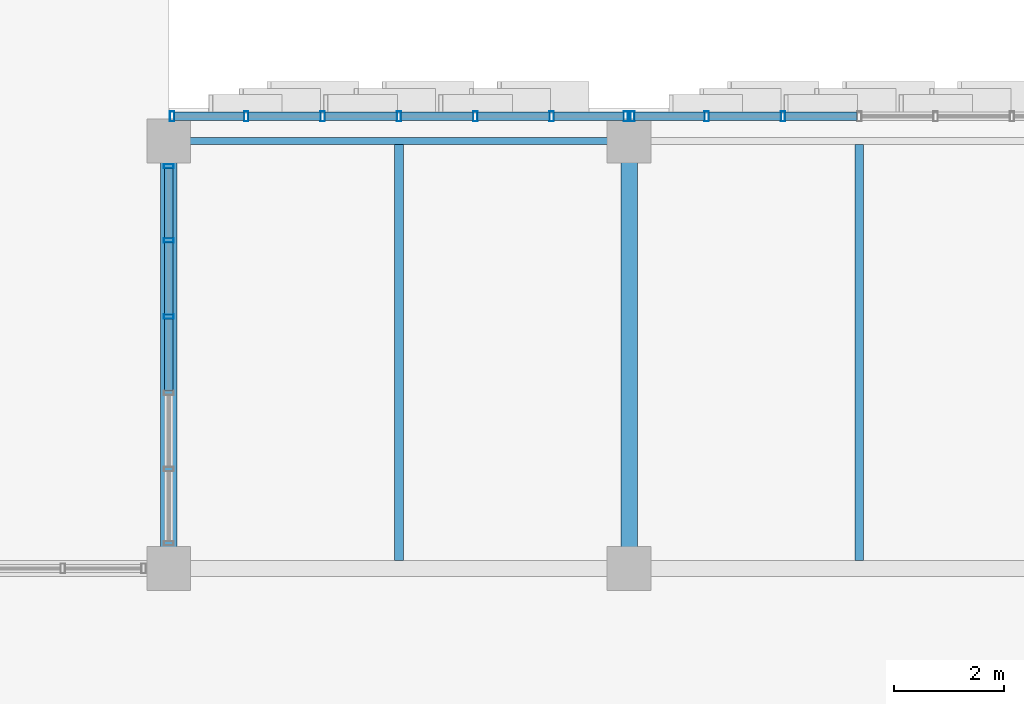
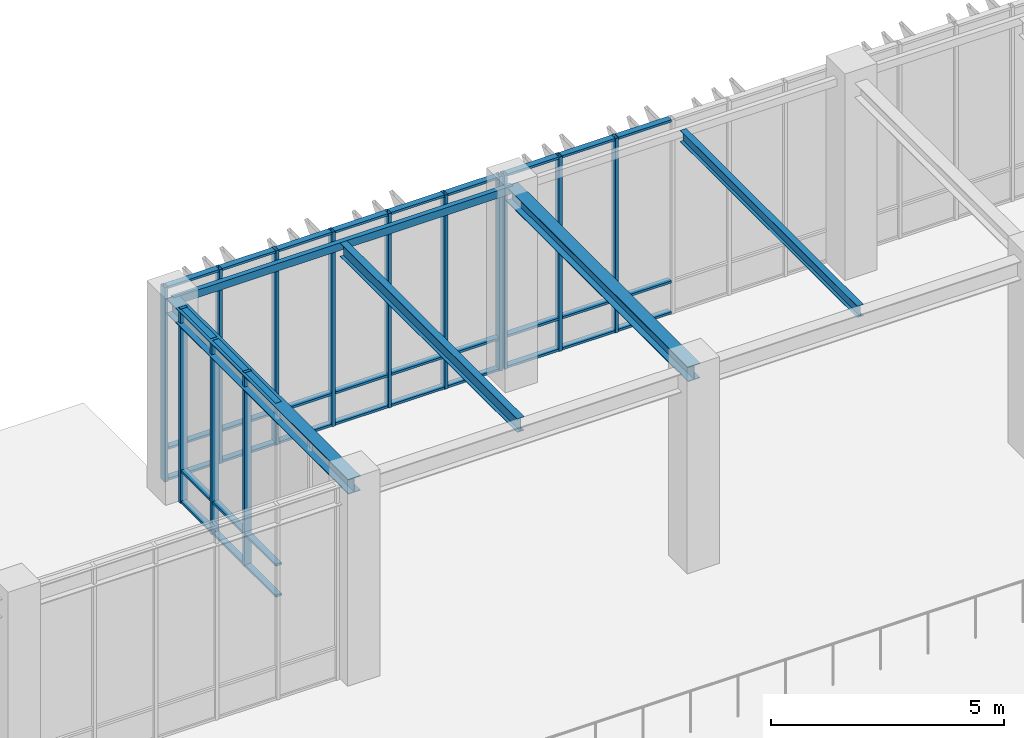
# One storey, part 53 of 139: 49 members, 5 beams, 3 elements without a shape of their own.
"""IFC4 building model written with IfcOpenShell, lengths in metres."""

from ifc_helpers import new_model, si_unit, direction, frame, origin, origin_2d, place, context, subcontext, project, spatial, hollow_rectangle, i_section, extrude, material, layer, layer_set, material_profile, profile_set, type_object, element, aggregate, save


model = new_model("IFC4")

# Units and contexts
model_context = context("Model", 3, precision=1e-05, world=origin(), true_north=direction((0.0, 1.0)))
body_context = subcontext(model_context, "Body", "Model", "MODEL_VIEW")
ifc_project = project(units=[si_unit("LENGTHUNIT", "METRE"), si_unit("AREAUNIT", "SQUARE_METRE"), si_unit("VOLUMEUNIT", "CUBIC_METRE"), si_unit("PLANEANGLEUNIT", "RADIAN"), si_unit("MASSUNIT", "GRAM", prefix="KILO")], contexts=[model_context])

# Site, building, storey
site_placement = place(None, origin())
site = spatial("IfcSite", under=ifc_project, at=site_placement, CompositionType="ELEMENT")
building_placement = place(site_placement, origin())
building = spatial("IfcBuilding", under=site, at=building_placement, Name="Zayran Congress Hotel", CompositionType="ELEMENT")
storey_placement = place(building_placement, frame((0.0, 0.0, 5.39990234375)))
storey = spatial("IfcBuildingStorey", under=building, at=storey_placement, Name="L01", CompositionType="ELEMENT", Elevation=5.39990234375)

# Beams
ifc_material_1 = material(Name="Steel S355", Category="steel")
ifc_material_profile_1 = material_profile(ifc_material_1, i_section(OverallWidth=0.300048828125, OverallDepth=0.389892578125, WebThickness=0.010986328125, FlangeThickness=0.01904296875, at=origin_2d()), Name="HEA 400")
ifc_profile_set_1 = profile_set([ifc_material_profile_1], Name="Steel S355")
beam_type_1 = type_object("IfcBeamType", Name="TP-BM-06", PredefinedType="BEAM", material=ifc_profile_set_1)
for number, where, z_axis, x_axis, name in (
    (1, (58.800048828125, 109.60009765625, 4.885009765625), (0.0, 1.0, 0.0), (-1.0, 0.0, 0.0), "BM-V1-L01-0598"),
    (2, (67.199951171875, 109.60009765625, 4.885009765625), (0.0, 1.0, 0.0), (-1.0, 0.0, 0.0), "BM-V1-L01-0601"),
):
    element("IfcBeam", number, at=place(storey_placement, frame(where, z_axis=z_axis, x_axis=x_axis)), inside=storey, type_object=beam_type_1, Name=name, PredefinedType="BEAM", context=body_context, shape_type="SweptSolid", body=[
        extrude(i_section(OverallWidth=0.300048828125, OverallDepth=0.389892578125, WebThickness=0.010986328125, FlangeThickness=0.01904296875, at=origin_2d()), origin(), (0.0, 0.0, 1.0), 7.7998046875),
    ])
ifc_material_profile_2 = material_profile(ifc_material_1, i_section(OverallWidth=0.169921875, OverallDepth=0.360107421875, WebThickness=0.008056640625, FlangeThickness=0.0126953125, at=origin_2d()), Name="IPE 360")
ifc_profile_set_2 = profile_set([ifc_material_profile_2], Name="Steel S355")
beam_type_2 = type_object("IfcBeamType", Name="TP-JS-04", PredefinedType="JOIST", material=ifc_profile_set_2)
beam_1_placement = place(storey_placement, frame((63.0, 109.75, 4.900146484375), z_axis=(0.0, 1.0, 0.0), x_axis=(-1.0, 0.0, 0.0)))
element("IfcBeam", 3, at=beam_1_placement, inside=storey, type_object=beam_type_2, Name="JST-V1-L01-0640", PredefinedType="JOIST", context=body_context, shape_type="SweptSolid", body=[
    extrude(i_section(OverallWidth=0.169921875, OverallDepth=0.360107421875, WebThickness=0.008056640625, FlangeThickness=0.0126953125, at=origin_2d()), origin(), (0.0, 0.0, 1.0), 7.590087890625),
])
ifc_material_profile_3 = material_profile(ifc_material_1, i_section(OverallWidth=0.14990234375, OverallDepth=0.300048828125, WebThickness=0.007080078125, FlangeThickness=0.0107421875, at=origin_2d()), Name="IPE 300")
ifc_profile_set_3 = profile_set([ifc_material_profile_3], Name="Steel S355")
beam_type_3 = type_object("IfcBeamType", Name="TP-JS-05", PredefinedType="JOIST", material=ifc_profile_set_3)
beam_2_placement = place(storey_placement, frame((71.39990234375, 109.75, 4.93017578125), z_axis=(0.0, 1.0, 0.0), x_axis=(-1.0, 0.0, 0.0)))
element("IfcBeam", 4, at=beam_2_placement, inside=storey, type_object=beam_type_3, Name="JST-V1-L01-0643", PredefinedType="JOIST", context=body_context, shape_type="SweptSolid", body=[
    extrude(i_section(OverallWidth=0.14990234375, OverallDepth=0.300048828125, WebThickness=0.007080078125, FlangeThickness=0.0107421875, at=origin_2d()), origin(), (0.0, 0.0, 1.0), 7.590087890625),
])
ifc_material_profile_4 = material_profile(ifc_material_1, hollow_rectangle(XDim=0.1201171875, YDim=0.199951171875, WallThickness=0.008056640625, at=origin_2d()), Name="RHS 200x120x8")
ifc_profile_set_4 = profile_set([ifc_material_profile_4], Name="Steel S355")
beam_type_4 = type_object("IfcBeamType", Name="TP-SP-02", PredefinedType="SPANDREL", material=ifc_profile_set_4)
beam_3_placement = place(storey_placement, frame((58.800048828125, 117.39990234375, 4.97998046875), z_axis=(1.0, 0.0, 0.0), x_axis=(0.0, 1.0, 0.0)))
element("IfcBeam", 5, at=beam_3_placement, inside=storey, type_object=beam_type_4, Name="BM-V1-L01-0567", PredefinedType="SPANDREL", context=body_context, shape_type="SweptSolid", body=[
    extrude(hollow_rectangle(XDim=0.1201171875, YDim=0.199951171875, WallThickness=0.008056640625, at=origin_2d()), origin(), (0.0, 0.0, 1.0), 8.39990234375),
])

# Curtain wall, members
ifc_material_2 = material(Name="Anodised aluminium and low-E insulated glass", Category="aluminium")
ifc_layer_1 = layer(ifc_material_2, 0.179931640625)
ifc_layer_set_1 = layer_set([ifc_layer_1], Name="Anodised aluminium and low-E insulated glass")
curtain_wall_type_1 = type_object("IfcCurtainWallType", Name="CW-V1N-L01-CW-21-8360-5080", PredefinedType="USERDEFINED", material=ifc_layer_set_1)
curtain_wall_1_placement = place(storey_placement, origin())
curtain_wall_1 = element("IfcCurtainWall", 6, at=curtain_wall_1_placement, inside=storey, type_object=curtain_wall_type_1, Name="CW-V1N-L01-6", ObjectType="CURTAIN WALL", PredefinedType="USERDEFINED")
ifc_material_3 = material(Name="Anodised aluminium framing", Category="aluminium")
ifc_material_profile_5 = material_profile(ifc_material_3, hollow_rectangle(XDim=0.080078125, YDim=0.179931640625, WallThickness=0.0048828125, at=origin_2d()), Name="RHS 180x80x5")
ifc_profile_set_5 = profile_set([ifc_material_profile_5], Name="Anodised aluminium framing")
member_type_1 = type_object("IfcMemberType", Name="TP-CWM-01", PredefinedType="MULLION", material=ifc_profile_set_5)
member_1_placement = place(storey_placement, frame((67.139892578125, 117.85009765625, 0.0), z_axis=(0.0, 0.0, 1.0), x_axis=(1.0, 0.0, 0.0)))
member_1 = element("IfcMember", 7, at=member_1_placement, type_object=member_type_1, Name="CW-V1N-L01-6-M00", PredefinedType="MULLION", context=body_context, shape_type="SweptSolid", body=[
    extrude(hollow_rectangle(XDim=0.080078125, YDim=0.179931640625, WallThickness=0.0048828125, at=origin_2d()), origin(), (0.0, 0.0, 1.0), 5.080078125),
])
member_2_placement = place(storey_placement, frame((65.78662109375, 117.85009765625, 0.0), z_axis=(0.0, 0.0, 1.0), x_axis=(1.0, 0.0, 0.0)))
member_2 = element("IfcMember", 8, at=member_2_placement, type_object=member_type_1, Name="CW-V1N-L01-6-M01", PredefinedType="MULLION", context=body_context, shape_type="SweptSolid", body=[
    extrude(hollow_rectangle(XDim=0.080078125, YDim=0.179931640625, WallThickness=0.0048828125, at=origin_2d()), origin(), (0.0, 0.0, 1.0), 5.080078125),
])
member_3_placement = place(storey_placement, frame((64.393310546875, 117.85009765625, 0.0), z_axis=(0.0, 0.0, 1.0), x_axis=(1.0, 0.0, 0.0)))
member_3 = element("IfcMember", 9, at=member_3_placement, type_object=member_type_1, Name="CW-V1N-L01-6-M02", PredefinedType="MULLION", context=body_context, shape_type="SweptSolid", body=[
    extrude(hollow_rectangle(XDim=0.080078125, YDim=0.179931640625, WallThickness=0.0048828125, at=origin_2d()), origin(), (0.0, 0.0, 1.0), 5.080078125),
])
member_4_placement = place(storey_placement, frame((63.0, 117.85009765625, 0.0), z_axis=(0.0, 0.0, 1.0), x_axis=(1.0, 0.0, 0.0)))
member_4 = element("IfcMember", 10, at=member_4_placement, type_object=member_type_1, Name="CW-V1N-L01-6-M03", PredefinedType="MULLION", context=body_context, shape_type="SweptSolid", body=[
    extrude(hollow_rectangle(XDim=0.080078125, YDim=0.179931640625, WallThickness=0.0048828125, at=origin_2d()), origin(), (0.0, 0.0, 1.0), 5.080078125),
])
member_5_placement = place(storey_placement, frame((61.606689453125, 117.85009765625, 0.0), z_axis=(0.0, 0.0, 1.0), x_axis=(1.0, 0.0, 0.0)))
member_5 = element("IfcMember", 11, at=member_5_placement, type_object=member_type_1, Name="CW-V1N-L01-6-M04", PredefinedType="MULLION", context=body_context, shape_type="SweptSolid", body=[
    extrude(hollow_rectangle(XDim=0.080078125, YDim=0.179931640625, WallThickness=0.0048828125, at=origin_2d()), origin(), (0.0, 0.0, 1.0), 5.080078125),
])
member_6_placement = place(storey_placement, frame((60.21337890625, 117.85009765625, 0.0), z_axis=(0.0, 0.0, 1.0), x_axis=(1.0, 0.0, 0.0)))
member_6 = element("IfcMember", 12, at=member_6_placement, type_object=member_type_1, Name="CW-V1N-L01-6-M05", PredefinedType="MULLION", context=body_context, shape_type="SweptSolid", body=[
    extrude(hollow_rectangle(XDim=0.080078125, YDim=0.179931640625, WallThickness=0.0048828125, at=origin_2d()), origin(), (0.0, 0.0, 1.0), 5.080078125),
])
member_7_placement = place(storey_placement, frame((58.860107421875, 117.85009765625, 0.0), z_axis=(0.0, 0.0, 1.0), x_axis=(1.0, 0.0, 0.0)))
member_7 = element("IfcMember", 13, at=member_7_placement, type_object=member_type_1, Name="CW-V1N-L01-6-M06", PredefinedType="MULLION", context=body_context, shape_type="SweptSolid", body=[
    extrude(hollow_rectangle(XDim=0.080078125, YDim=0.179931640625, WallThickness=0.0048828125, at=origin_2d()), origin(), (0.0, 0.0, 1.0), 5.080078125),
])

ifc_layer_2 = layer(ifc_material_2, 0.179931640625)
ifc_layer_set_2 = layer_set([ifc_layer_2], Name="Anodised aluminium and low-E insulated glass")
curtain_wall_type_2 = type_object("IfcCurtainWallType", Name="CW-V1N-L01-CW-22-8360-5080", PredefinedType="USERDEFINED", material=ifc_layer_set_2)
curtain_wall_2_placement = place(storey_placement, origin())
curtain_wall_2 = element("IfcCurtainWall", 14, at=curtain_wall_2_placement, inside=storey, type_object=curtain_wall_type_2, Name="CW-V1N-L01-7", ObjectType="CURTAIN WALL", PredefinedType="USERDEFINED")
member_8_placement = place(storey_placement, frame((70.006591796875, 117.85009765625, 0.0), z_axis=(0.0, 0.0, 1.0), x_axis=(1.0, 0.0, 0.0)))
member_8 = element("IfcMember", 15, at=member_8_placement, type_object=member_type_1, Name="CW-V1N-L01-7-M04", PredefinedType="MULLION", context=body_context, shape_type="SweptSolid", body=[
    extrude(hollow_rectangle(XDim=0.080078125, YDim=0.179931640625, WallThickness=0.0048828125, at=origin_2d()), origin(), (0.0, 0.0, 1.0), 5.080078125),
])
member_9_placement = place(storey_placement, frame((68.61328125, 117.85009765625, 0.0), z_axis=(0.0, 0.0, 1.0), x_axis=(1.0, 0.0, 0.0)))
member_9 = element("IfcMember", 16, at=member_9_placement, type_object=member_type_1, Name="CW-V1N-L01-7-M05", PredefinedType="MULLION", context=body_context, shape_type="SweptSolid", body=[
    extrude(hollow_rectangle(XDim=0.080078125, YDim=0.179931640625, WallThickness=0.0048828125, at=origin_2d()), origin(), (0.0, 0.0, 1.0), 5.080078125),
])
member_10_placement = place(storey_placement, frame((67.260009765625, 117.85009765625, 0.0), z_axis=(0.0, 0.0, 1.0), x_axis=(1.0, 0.0, 0.0)))
member_10 = element("IfcMember", 17, at=member_10_placement, type_object=member_type_1, Name="CW-V1N-L01-7-M06", PredefinedType="MULLION", context=body_context, shape_type="SweptSolid", body=[
    extrude(hollow_rectangle(XDim=0.080078125, YDim=0.179931640625, WallThickness=0.0048828125, at=origin_2d()), origin(), (0.0, 0.0, 1.0), 5.080078125),
])

ifc_layer_3 = layer(ifc_material_2, 0.179931640625)
ifc_layer_set_3 = layer_set([ifc_layer_3], Name="Anodised aluminium and low-E insulated glass")
curtain_wall_type_3 = type_object("IfcCurtainWallType", Name="CW-V1NE-L01-CW-25-6960-5080", PredefinedType="USERDEFINED", material=ifc_layer_set_3)
curtain_wall_3_placement = place(storey_placement, origin())
curtain_wall_3 = element("IfcCurtainWall", 18, at=curtain_wall_3_placement, inside=storey, type_object=curtain_wall_type_3, Name="CW-V1NE-L01", ObjectType="CURTAIN WALL", PredefinedType="USERDEFINED")
member_11_placement = place(storey_placement, frame((58.800048828125, 116.93994140625, 0.0), z_axis=(0.0, 0.0, 1.0), x_axis=(0.0, 1.0, 0.0)))
member_11 = element("IfcMember", 19, at=member_11_placement, type_object=member_type_1, Name="CW-V1NE-L01-M00", PredefinedType="MULLION", context=body_context, shape_type="SweptSolid", body=[
    extrude(hollow_rectangle(XDim=0.080078125, YDim=0.179931640625, WallThickness=0.0048828125, at=origin_2d()), origin(), (0.0, 0.0, 1.0), 5.080078125),
])
member_12_placement = place(storey_placement, frame((58.800048828125, 115.587890625, 0.0), z_axis=(0.0, 0.0, 1.0), x_axis=(0.0, 1.0, 0.0)))
member_12 = element("IfcMember", 20, at=member_12_placement, type_object=member_type_1, Name="CW-V1NE-L01-M01", PredefinedType="MULLION", context=body_context, shape_type="SweptSolid", body=[
    extrude(hollow_rectangle(XDim=0.080078125, YDim=0.179931640625, WallThickness=0.0048828125, at=origin_2d()), origin(), (0.0, 0.0, 1.0), 5.080078125),
])
member_13_placement = place(storey_placement, frame((58.800048828125, 114.196044921875, 0.0), z_axis=(0.0, 0.0, 1.0), x_axis=(0.0, 1.0, 0.0)))
member_13 = element("IfcMember", 21, at=member_13_placement, type_object=member_type_1, Name="CW-V1NE-L01-M02", PredefinedType="MULLION", context=body_context, shape_type="SweptSolid", body=[
    extrude(hollow_rectangle(XDim=0.080078125, YDim=0.179931640625, WallThickness=0.0048828125, at=origin_2d()), origin(), (0.0, 0.0, 1.0), 5.080078125),
])

# Member
ifc_material_profile_6 = material_profile(ifc_material_3, hollow_rectangle(XDim=0.06005859375, YDim=0.14990234375, WallThickness=0.00390625, at=origin_2d()), Name="RHS 150x60x4")
ifc_profile_set_6 = profile_set([ifc_material_profile_6], Name="Anodised aluminium framing")
member_type_2 = type_object("IfcMemberType", Name="TP-CWT-01", PredefinedType="USERDEFINED", material=ifc_profile_set_6)
member_14_placement = place(storey_placement, frame((67.10009765625, 117.85009765625, 0.030029296875), z_axis=(-1.0, 0.0, 0.0), x_axis=(0.0, 0.0, 1.0)))
member_14 = element("IfcMember", 22, at=member_14_placement, type_object=member_type_2, Name="CW-V1N-L01-6-T00-0", ObjectType="TRANSOM", PredefinedType="USERDEFINED", context=body_context, shape_type="SweptSolid", body=[
    extrude(hollow_rectangle(XDim=0.06005859375, YDim=0.14990234375, WallThickness=0.00390625, at=origin_2d()), origin(), (0.0, 0.0, 1.0), 1.2734375),
])

member_15_placement = place(storey_placement, frame((67.10009765625, 117.85009765625, 0.840087890625), z_axis=(-1.0, 0.0, 0.0), x_axis=(0.0, 0.0, 1.0)))
member_15 = element("IfcMember", 23, at=member_15_placement, type_object=member_type_2, Name="CW-V1N-L01-6-T00-1", ObjectType="TRANSOM", PredefinedType="USERDEFINED", context=body_context, shape_type="SweptSolid", body=[
    extrude(hollow_rectangle(XDim=0.06005859375, YDim=0.14990234375, WallThickness=0.00390625, at=origin_2d()), origin(), (0.0, 0.0, 1.0), 1.2734375),
])

member_16_placement = place(storey_placement, frame((67.10009765625, 117.85009765625, 5.050048828125), z_axis=(-1.0, 0.0, 0.0), x_axis=(0.0, 0.0, 1.0)))
member_16 = element("IfcMember", 24, at=member_16_placement, type_object=member_type_2, Name="CW-V1N-L01-6-T00-2", ObjectType="TRANSOM", PredefinedType="USERDEFINED", context=body_context, shape_type="SweptSolid", body=[
    extrude(hollow_rectangle(XDim=0.06005859375, YDim=0.14990234375, WallThickness=0.00390625, at=origin_2d()), origin(), (0.0, 0.0, 1.0), 1.2734375),
])

member_17_placement = place(storey_placement, frame((65.74658203125, 117.85009765625, 0.030029296875), z_axis=(-1.0, 0.0, 0.0), x_axis=(0.0, 0.0, 1.0)))
member_17 = element("IfcMember", 25, at=member_17_placement, type_object=member_type_2, Name="CW-V1N-L01-6-T01-0", ObjectType="TRANSOM", PredefinedType="USERDEFINED", context=body_context, shape_type="SweptSolid", body=[
    extrude(hollow_rectangle(XDim=0.06005859375, YDim=0.14990234375, WallThickness=0.00390625, at=origin_2d()), origin(), (0.0, 0.0, 1.0), 1.313232421875),
])

member_18_placement = place(storey_placement, frame((65.74658203125, 117.85009765625, 0.840087890625), z_axis=(-1.0, 0.0, 0.0), x_axis=(0.0, 0.0, 1.0)))
member_18 = element("IfcMember", 26, at=member_18_placement, type_object=member_type_2, Name="CW-V1N-L01-6-T01-1", ObjectType="TRANSOM", PredefinedType="USERDEFINED", context=body_context, shape_type="SweptSolid", body=[
    extrude(hollow_rectangle(XDim=0.06005859375, YDim=0.14990234375, WallThickness=0.00390625, at=origin_2d()), origin(), (0.0, 0.0, 1.0), 1.313232421875),
])

member_19_placement = place(storey_placement, frame((65.74658203125, 117.85009765625, 5.050048828125), z_axis=(-1.0, 0.0, 0.0), x_axis=(0.0, 0.0, 1.0)))
member_19 = element("IfcMember", 27, at=member_19_placement, type_object=member_type_2, Name="CW-V1N-L01-6-T01-2", ObjectType="TRANSOM", PredefinedType="USERDEFINED", context=body_context, shape_type="SweptSolid", body=[
    extrude(hollow_rectangle(XDim=0.06005859375, YDim=0.14990234375, WallThickness=0.00390625, at=origin_2d()), origin(), (0.0, 0.0, 1.0), 1.313232421875),
])

member_20_placement = place(storey_placement, frame((64.353271484375, 117.85009765625, 0.030029296875), z_axis=(-1.0, 0.0, 0.0), x_axis=(0.0, 0.0, 1.0)))
member_20 = element("IfcMember", 28, at=member_20_placement, type_object=member_type_2, Name="CW-V1N-L01-6-T02-0", ObjectType="TRANSOM", PredefinedType="USERDEFINED", context=body_context, shape_type="SweptSolid", body=[
    extrude(hollow_rectangle(XDim=0.06005859375, YDim=0.14990234375, WallThickness=0.00390625, at=origin_2d()), origin(), (0.0, 0.0, 1.0), 1.313232421875),
])

member_21_placement = place(storey_placement, frame((64.353271484375, 117.85009765625, 0.840087890625), z_axis=(-1.0, 0.0, 0.0), x_axis=(0.0, 0.0, 1.0)))
member_21 = element("IfcMember", 29, at=member_21_placement, type_object=member_type_2, Name="CW-V1N-L01-6-T02-1", ObjectType="TRANSOM", PredefinedType="USERDEFINED", context=body_context, shape_type="SweptSolid", body=[
    extrude(hollow_rectangle(XDim=0.06005859375, YDim=0.14990234375, WallThickness=0.00390625, at=origin_2d()), origin(), (0.0, 0.0, 1.0), 1.313232421875),
])

member_22_placement = place(storey_placement, frame((64.353271484375, 117.85009765625, 5.050048828125), z_axis=(-1.0, 0.0, 0.0), x_axis=(0.0, 0.0, 1.0)))
member_22 = element("IfcMember", 30, at=member_22_placement, type_object=member_type_2, Name="CW-V1N-L01-6-T02-2", ObjectType="TRANSOM", PredefinedType="USERDEFINED", context=body_context, shape_type="SweptSolid", body=[
    extrude(hollow_rectangle(XDim=0.06005859375, YDim=0.14990234375, WallThickness=0.00390625, at=origin_2d()), origin(), (0.0, 0.0, 1.0), 1.313232421875),
])

member_23_placement = place(storey_placement, frame((62.9599609375, 117.85009765625, 0.030029296875), z_axis=(-1.0, 0.0, 0.0), x_axis=(0.0, 0.0, 1.0)))
member_23 = element("IfcMember", 31, at=member_23_placement, type_object=member_type_2, Name="CW-V1N-L01-6-T03-0", ObjectType="TRANSOM", PredefinedType="USERDEFINED", context=body_context, shape_type="SweptSolid", body=[
    extrude(hollow_rectangle(XDim=0.06005859375, YDim=0.14990234375, WallThickness=0.00390625, at=origin_2d()), origin(), (0.0, 0.0, 1.0), 1.313232421875),
])

member_24_placement = place(storey_placement, frame((62.9599609375, 117.85009765625, 0.840087890625), z_axis=(-1.0, 0.0, 0.0), x_axis=(0.0, 0.0, 1.0)))
member_24 = element("IfcMember", 32, at=member_24_placement, type_object=member_type_2, Name="CW-V1N-L01-6-T03-1", ObjectType="TRANSOM", PredefinedType="USERDEFINED", context=body_context, shape_type="SweptSolid", body=[
    extrude(hollow_rectangle(XDim=0.06005859375, YDim=0.14990234375, WallThickness=0.00390625, at=origin_2d()), origin(), (0.0, 0.0, 1.0), 1.313232421875),
])

member_25_placement = place(storey_placement, frame((62.9599609375, 117.85009765625, 5.050048828125), z_axis=(-1.0, 0.0, 0.0), x_axis=(0.0, 0.0, 1.0)))
member_25 = element("IfcMember", 33, at=member_25_placement, type_object=member_type_2, Name="CW-V1N-L01-6-T03-2", ObjectType="TRANSOM", PredefinedType="USERDEFINED", context=body_context, shape_type="SweptSolid", body=[
    extrude(hollow_rectangle(XDim=0.06005859375, YDim=0.14990234375, WallThickness=0.00390625, at=origin_2d()), origin(), (0.0, 0.0, 1.0), 1.313232421875),
])

member_26_placement = place(storey_placement, frame((61.566650390625, 117.85009765625, 0.030029296875), z_axis=(-1.0, 0.0, 0.0), x_axis=(0.0, 0.0, 1.0)))
member_26 = element("IfcMember", 34, at=member_26_placement, type_object=member_type_2, Name="CW-V1N-L01-6-T04-0", ObjectType="TRANSOM", PredefinedType="USERDEFINED", context=body_context, shape_type="SweptSolid", body=[
    extrude(hollow_rectangle(XDim=0.06005859375, YDim=0.14990234375, WallThickness=0.00390625, at=origin_2d()), origin(), (0.0, 0.0, 1.0), 1.313232421875),
])

member_27_placement = place(storey_placement, frame((61.566650390625, 117.85009765625, 0.840087890625), z_axis=(-1.0, 0.0, 0.0), x_axis=(0.0, 0.0, 1.0)))
member_27 = element("IfcMember", 35, at=member_27_placement, type_object=member_type_2, Name="CW-V1N-L01-6-T04-1", ObjectType="TRANSOM", PredefinedType="USERDEFINED", context=body_context, shape_type="SweptSolid", body=[
    extrude(hollow_rectangle(XDim=0.06005859375, YDim=0.14990234375, WallThickness=0.00390625, at=origin_2d()), origin(), (0.0, 0.0, 1.0), 1.313232421875),
])

member_28_placement = place(storey_placement, frame((61.566650390625, 117.85009765625, 5.050048828125), z_axis=(-1.0, 0.0, 0.0), x_axis=(0.0, 0.0, 1.0)))
member_28 = element("IfcMember", 36, at=member_28_placement, type_object=member_type_2, Name="CW-V1N-L01-6-T04-2", ObjectType="TRANSOM", PredefinedType="USERDEFINED", context=body_context, shape_type="SweptSolid", body=[
    extrude(hollow_rectangle(XDim=0.06005859375, YDim=0.14990234375, WallThickness=0.00390625, at=origin_2d()), origin(), (0.0, 0.0, 1.0), 1.313232421875),
])

member_29_placement = place(storey_placement, frame((60.17333984375, 117.85009765625, 0.030029296875), z_axis=(-1.0, 0.0, 0.0), x_axis=(0.0, 0.0, 1.0)))
member_29 = element("IfcMember", 37, at=member_29_placement, type_object=member_type_2, Name="CW-V1N-L01-6-T05-0", ObjectType="TRANSOM", PredefinedType="USERDEFINED", context=body_context, shape_type="SweptSolid", body=[
    extrude(hollow_rectangle(XDim=0.06005859375, YDim=0.14990234375, WallThickness=0.00390625, at=origin_2d()), origin(), (0.0, 0.0, 1.0), 1.2734375),
])

member_30_placement = place(storey_placement, frame((60.17333984375, 117.85009765625, 0.840087890625), z_axis=(-1.0, 0.0, 0.0), x_axis=(0.0, 0.0, 1.0)))
member_30 = element("IfcMember", 38, at=member_30_placement, type_object=member_type_2, Name="CW-V1N-L01-6-T05-1", ObjectType="TRANSOM", PredefinedType="USERDEFINED", context=body_context, shape_type="SweptSolid", body=[
    extrude(hollow_rectangle(XDim=0.06005859375, YDim=0.14990234375, WallThickness=0.00390625, at=origin_2d()), origin(), (0.0, 0.0, 1.0), 1.2734375),
])

member_31_placement = place(storey_placement, frame((60.17333984375, 117.85009765625, 5.050048828125), z_axis=(-1.0, 0.0, 0.0), x_axis=(0.0, 0.0, 1.0)))
member_31 = element("IfcMember", 39, at=member_31_placement, type_object=member_type_2, Name="CW-V1N-L01-6-T05-2", ObjectType="TRANSOM", PredefinedType="USERDEFINED", context=body_context, shape_type="SweptSolid", body=[
    extrude(hollow_rectangle(XDim=0.06005859375, YDim=0.14990234375, WallThickness=0.00390625, at=origin_2d()), origin(), (0.0, 0.0, 1.0), 1.2734375),
])

aggregate(curtain_wall_1, [member_1, member_2, member_3, member_4, member_5, member_6, member_7, member_14, member_15, member_16, member_17, member_18, member_19, member_20, member_21, member_22, member_23, member_24, member_25, member_26, member_27, member_28, member_29, member_30, member_31])

member_32_placement = place(storey_placement, frame((71.360107421875, 117.85009765625, 0.030029296875), z_axis=(-1.0, 0.0, 0.0), x_axis=(0.0, 0.0, 1.0)))
member_32 = element("IfcMember", 40, at=member_32_placement, type_object=member_type_2, Name="CW-V1N-L01-7-T03-0", ObjectType="TRANSOM", PredefinedType="USERDEFINED", context=body_context, shape_type="SweptSolid", body=[
    extrude(hollow_rectangle(XDim=0.06005859375, YDim=0.14990234375, WallThickness=0.00390625, at=origin_2d()), origin(), (0.0, 0.0, 1.0), 1.3134765625),
])

member_33_placement = place(storey_placement, frame((71.360107421875, 117.85009765625, 0.840087890625), z_axis=(-1.0, 0.0, 0.0), x_axis=(0.0, 0.0, 1.0)))
member_33 = element("IfcMember", 41, at=member_33_placement, type_object=member_type_2, Name="CW-V1N-L01-7-T03-1", ObjectType="TRANSOM", PredefinedType="USERDEFINED", context=body_context, shape_type="SweptSolid", body=[
    extrude(hollow_rectangle(XDim=0.06005859375, YDim=0.14990234375, WallThickness=0.00390625, at=origin_2d()), origin(), (0.0, 0.0, 1.0), 1.3134765625),
])

member_34_placement = place(storey_placement, frame((71.360107421875, 117.85009765625, 5.050048828125), z_axis=(-1.0, 0.0, 0.0), x_axis=(0.0, 0.0, 1.0)))
member_34 = element("IfcMember", 42, at=member_34_placement, type_object=member_type_2, Name="CW-V1N-L01-7-T03-2", ObjectType="TRANSOM", PredefinedType="USERDEFINED", context=body_context, shape_type="SweptSolid", body=[
    extrude(hollow_rectangle(XDim=0.06005859375, YDim=0.14990234375, WallThickness=0.00390625, at=origin_2d()), origin(), (0.0, 0.0, 1.0), 1.3134765625),
])

member_35_placement = place(storey_placement, frame((69.966796875, 117.85009765625, 0.030029296875), z_axis=(-1.0, 0.0, 0.0), x_axis=(0.0, 0.0, 1.0)))
member_35 = element("IfcMember", 43, at=member_35_placement, type_object=member_type_2, Name="CW-V1N-L01-7-T04-0", ObjectType="TRANSOM", PredefinedType="USERDEFINED", context=body_context, shape_type="SweptSolid", body=[
    extrude(hollow_rectangle(XDim=0.06005859375, YDim=0.14990234375, WallThickness=0.00390625, at=origin_2d()), origin(), (0.0, 0.0, 1.0), 1.3134765625),
])

member_36_placement = place(storey_placement, frame((69.966796875, 117.85009765625, 0.840087890625), z_axis=(-1.0, 0.0, 0.0), x_axis=(0.0, 0.0, 1.0)))
member_36 = element("IfcMember", 44, at=member_36_placement, type_object=member_type_2, Name="CW-V1N-L01-7-T04-1", ObjectType="TRANSOM", PredefinedType="USERDEFINED", context=body_context, shape_type="SweptSolid", body=[
    extrude(hollow_rectangle(XDim=0.06005859375, YDim=0.14990234375, WallThickness=0.00390625, at=origin_2d()), origin(), (0.0, 0.0, 1.0), 1.3134765625),
])

member_37_placement = place(storey_placement, frame((69.966796875, 117.85009765625, 5.050048828125), z_axis=(-1.0, 0.0, 0.0), x_axis=(0.0, 0.0, 1.0)))
member_37 = element("IfcMember", 45, at=member_37_placement, type_object=member_type_2, Name="CW-V1N-L01-7-T04-2", ObjectType="TRANSOM", PredefinedType="USERDEFINED", context=body_context, shape_type="SweptSolid", body=[
    extrude(hollow_rectangle(XDim=0.06005859375, YDim=0.14990234375, WallThickness=0.00390625, at=origin_2d()), origin(), (0.0, 0.0, 1.0), 1.3134765625),
])

member_38_placement = place(storey_placement, frame((68.5732421875, 117.85009765625, 0.030029296875), z_axis=(-1.0, 0.0, 0.0), x_axis=(0.0, 0.0, 1.0)))
member_38 = element("IfcMember", 46, at=member_38_placement, type_object=member_type_2, Name="CW-V1N-L01-7-T05-0", ObjectType="TRANSOM", PredefinedType="USERDEFINED", context=body_context, shape_type="SweptSolid", body=[
    extrude(hollow_rectangle(XDim=0.06005859375, YDim=0.14990234375, WallThickness=0.00390625, at=origin_2d()), origin(), (0.0, 0.0, 1.0), 1.273193359375),
])

member_39_placement = place(storey_placement, frame((68.5732421875, 117.85009765625, 0.840087890625), z_axis=(-1.0, 0.0, 0.0), x_axis=(0.0, 0.0, 1.0)))
member_39 = element("IfcMember", 47, at=member_39_placement, type_object=member_type_2, Name="CW-V1N-L01-7-T05-1", ObjectType="TRANSOM", PredefinedType="USERDEFINED", context=body_context, shape_type="SweptSolid", body=[
    extrude(hollow_rectangle(XDim=0.06005859375, YDim=0.14990234375, WallThickness=0.00390625, at=origin_2d()), origin(), (0.0, 0.0, 1.0), 1.273193359375),
])

member_40_placement = place(storey_placement, frame((68.5732421875, 117.85009765625, 5.050048828125), z_axis=(-1.0, 0.0, 0.0), x_axis=(0.0, 0.0, 1.0)))
member_40 = element("IfcMember", 48, at=member_40_placement, type_object=member_type_2, Name="CW-V1N-L01-7-T05-2", ObjectType="TRANSOM", PredefinedType="USERDEFINED", context=body_context, shape_type="SweptSolid", body=[
    extrude(hollow_rectangle(XDim=0.06005859375, YDim=0.14990234375, WallThickness=0.00390625, at=origin_2d()), origin(), (0.0, 0.0, 1.0), 1.273193359375),
])

aggregate(curtain_wall_2, [member_8, member_9, member_10, member_32, member_33, member_34, member_35, member_36, member_37, member_38, member_39, member_40])

member_41_placement = place(storey_placement, frame((58.800048828125, 116.89990234375, 0.030029296875), z_axis=(0.0, -1.0, 0.0), x_axis=(0.0, 0.0, 1.0)))
member_41 = element("IfcMember", 49, at=member_41_placement, type_object=member_type_2, Name="CW-V1NE-L01-T00-0", ObjectType="TRANSOM", PredefinedType="USERDEFINED", context=body_context, shape_type="SweptSolid", body=[
    extrude(hollow_rectangle(XDim=0.06005859375, YDim=0.14990234375, WallThickness=0.00390625, at=origin_2d()), origin(), (0.0, 0.0, 1.0), 1.27197265625),
])

member_42_placement = place(storey_placement, frame((58.800048828125, 116.89990234375, 0.840087890625), z_axis=(0.0, -1.0, 0.0), x_axis=(0.0, 0.0, 1.0)))
member_42 = element("IfcMember", 50, at=member_42_placement, type_object=member_type_2, Name="CW-V1NE-L01-T00-1", ObjectType="TRANSOM", PredefinedType="USERDEFINED", context=body_context, shape_type="SweptSolid", body=[
    extrude(hollow_rectangle(XDim=0.06005859375, YDim=0.14990234375, WallThickness=0.00390625, at=origin_2d()), origin(), (0.0, 0.0, 1.0), 1.27197265625),
])

member_43_placement = place(storey_placement, frame((58.800048828125, 116.89990234375, 5.050048828125), z_axis=(0.0, -1.0, 0.0), x_axis=(0.0, 0.0, 1.0)))
member_43 = element("IfcMember", 51, at=member_43_placement, type_object=member_type_2, Name="CW-V1NE-L01-T00-2", ObjectType="TRANSOM", PredefinedType="USERDEFINED", context=body_context, shape_type="SweptSolid", body=[
    extrude(hollow_rectangle(XDim=0.06005859375, YDim=0.14990234375, WallThickness=0.00390625, at=origin_2d()), origin(), (0.0, 0.0, 1.0), 1.27197265625),
])

member_44_placement = place(storey_placement, frame((58.800048828125, 115.548095703125, 0.030029296875), z_axis=(0.0, -1.0, 0.0), x_axis=(0.0, 0.0, 1.0)))
member_44 = element("IfcMember", 52, at=member_44_placement, type_object=member_type_2, Name="CW-V1NE-L01-T01-0", ObjectType="TRANSOM", PredefinedType="USERDEFINED", context=body_context, shape_type="SweptSolid", body=[
    extrude(hollow_rectangle(XDim=0.06005859375, YDim=0.14990234375, WallThickness=0.00390625, at=origin_2d()), origin(), (0.0, 0.0, 1.0), 1.31201171875),
])

member_45_placement = place(storey_placement, frame((58.800048828125, 115.548095703125, 0.840087890625), z_axis=(0.0, -1.0, 0.0), x_axis=(0.0, 0.0, 1.0)))
member_45 = element("IfcMember", 53, at=member_45_placement, type_object=member_type_2, Name="CW-V1NE-L01-T01-1", ObjectType="TRANSOM", PredefinedType="USERDEFINED", context=body_context, shape_type="SweptSolid", body=[
    extrude(hollow_rectangle(XDim=0.06005859375, YDim=0.14990234375, WallThickness=0.00390625, at=origin_2d()), origin(), (0.0, 0.0, 1.0), 1.31201171875),
])

member_46_placement = place(storey_placement, frame((58.800048828125, 115.548095703125, 5.050048828125), z_axis=(0.0, -1.0, 0.0), x_axis=(0.0, 0.0, 1.0)))
member_46 = element("IfcMember", 54, at=member_46_placement, type_object=member_type_2, Name="CW-V1NE-L01-T01-2", ObjectType="TRANSOM", PredefinedType="USERDEFINED", context=body_context, shape_type="SweptSolid", body=[
    extrude(hollow_rectangle(XDim=0.06005859375, YDim=0.14990234375, WallThickness=0.00390625, at=origin_2d()), origin(), (0.0, 0.0, 1.0), 1.31201171875),
])

member_47_placement = place(storey_placement, frame((58.800048828125, 114.156005859375, 0.030029296875), z_axis=(0.0, -1.0, 0.0), x_axis=(0.0, 0.0, 1.0)))
member_47 = element("IfcMember", 55, at=member_47_placement, type_object=member_type_2, Name="CW-V1NE-L01-T02-0", ObjectType="TRANSOM", PredefinedType="USERDEFINED", context=body_context, shape_type="SweptSolid", body=[
    extrude(hollow_rectangle(XDim=0.06005859375, YDim=0.14990234375, WallThickness=0.00390625, at=origin_2d()), origin(), (0.0, 0.0, 1.0), 1.31201171875),
])

member_48_placement = place(storey_placement, frame((58.800048828125, 114.156005859375, 0.840087890625), z_axis=(0.0, -1.0, 0.0), x_axis=(0.0, 0.0, 1.0)))
member_48 = element("IfcMember", 56, at=member_48_placement, type_object=member_type_2, Name="CW-V1NE-L01-T02-1", ObjectType="TRANSOM", PredefinedType="USERDEFINED", context=body_context, shape_type="SweptSolid", body=[
    extrude(hollow_rectangle(XDim=0.06005859375, YDim=0.14990234375, WallThickness=0.00390625, at=origin_2d()), origin(), (0.0, 0.0, 1.0), 1.31201171875),
])

member_49_placement = place(storey_placement, frame((58.800048828125, 114.156005859375, 5.050048828125), z_axis=(0.0, -1.0, 0.0), x_axis=(0.0, 0.0, 1.0)))
member_49 = element("IfcMember", 57, at=member_49_placement, type_object=member_type_2, Name="CW-V1NE-L01-T02-2", ObjectType="TRANSOM", PredefinedType="USERDEFINED", context=body_context, shape_type="SweptSolid", body=[
    extrude(hollow_rectangle(XDim=0.06005859375, YDim=0.14990234375, WallThickness=0.00390625, at=origin_2d()), origin(), (0.0, 0.0, 1.0), 1.31201171875),
])

aggregate(curtain_wall_3, [member_11, member_12, member_13, member_41, member_42, member_43, member_44, member_45, member_46, member_47, member_48, member_49])

save(model, "model.ifc")
